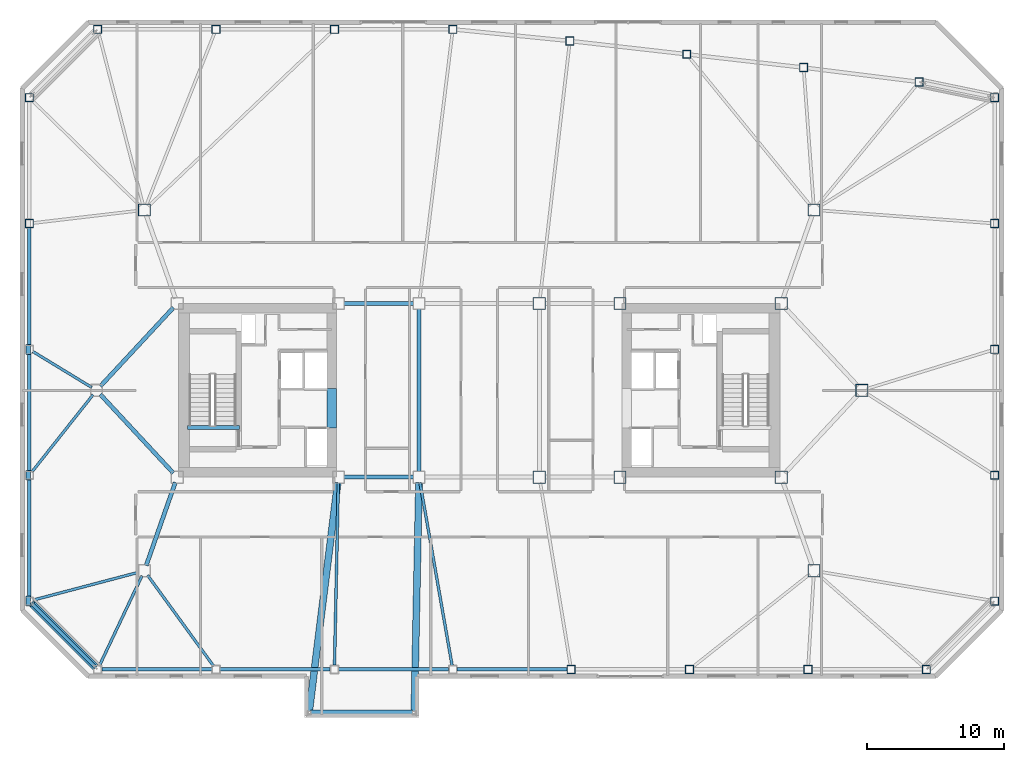
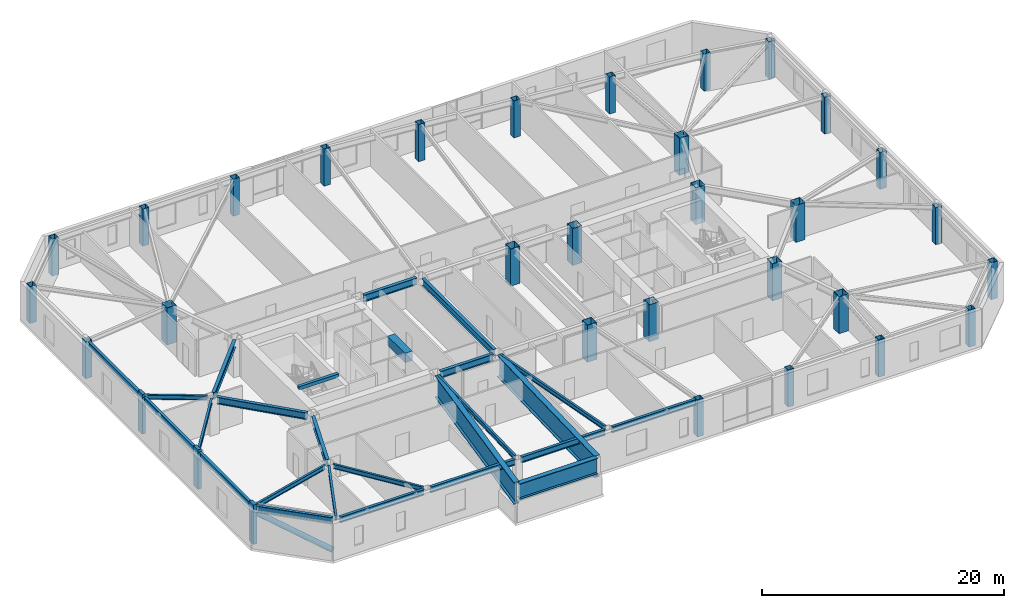
# One storey, part 2 of 17: 29 columns, 26 beams, 4 members.
"""IFC4 building model written with IfcOpenShell, lengths in metres."""

from ifc_helpers import new_model, si_unit, direction, frame, origin, origin_2d, place, context, subcontext, project, spatial, rectangle, hollow_rectangle, hollow_circle, i_section, extrude, material, material_profile, profile_set, type_object, element, save


model = new_model("IFC4")

# Units and contexts
model_context = context("Model", 3, precision=1e-05, world=origin(), true_north=direction((0.0, 1.0)))
body_context = subcontext(model_context, "Body", "Model", "MODEL_VIEW")
ifc_project = project(units=[si_unit("LENGTHUNIT", "METRE"), si_unit("AREAUNIT", "SQUARE_METRE"), si_unit("VOLUMEUNIT", "CUBIC_METRE"), si_unit("PLANEANGLEUNIT", "RADIAN"), si_unit("MASSUNIT", "GRAM", prefix="KILO")], contexts=[model_context])

# Site, building, storey
site_placement = place(None, origin())
site = spatial("IfcSite", under=ifc_project, at=site_placement, CompositionType="ELEMENT")
building_placement = place(site_placement, origin())
building = spatial("IfcBuilding", under=site, at=building_placement, Name="Tavrogorsk Clinical Tower", CompositionType="ELEMENT")
storey_placement = place(building_placement, frame((0.0, 0.0, 160.199951171875)))
storey = spatial("IfcBuildingStorey", under=building, at=storey_placement, Name="L36", CompositionType="ELEMENT", Elevation=160.199951171875)

# Columns
ifc_material_1 = material(Name="Structural steel S440", Category="steel")
ifc_material_profile_1 = material_profile(ifc_material_1, hollow_rectangle(XDim=0.89990234375, YDim=0.89990234375, WallThickness=0.0400390625, at=origin_2d()), Name="BOX-900x900x40")
ifc_profile_set_1 = profile_set([ifc_material_profile_1], Name="Structural steel S440")
column_type_1 = type_object("IfcColumnType", Name="MegaCol_BOX900", PredefinedType="COLUMN", material=ifc_profile_set_1)
for number, where, z_axis, x_axis, name in (
    (1, (10.300048828125, -6.35009765625, 0.0), (0.0, 0.0, 1.0), (1.0, 0.0, 0.0), "L36 Mega Column MC-E1"),
    (2, (10.300048828125, 6.35009765625, 0.0), (0.0, 0.0, 1.0), (1.0, 0.0, 0.0), "L36 Mega Column MC-E2"),
    (3, (22.10009765625, -6.35009765625, 0.0), (0.0, 0.0, 1.0), (1.0, 0.0, 0.0), "L36 Mega Column MC-E3"),
    (4, (22.10009765625, 6.35009765625, 0.0), (0.0, 0.0, 1.0), (1.0, 0.0, 0.0), "L36 Mega Column MC-E4"),
    (5, (4.39990234375, -6.35009765625, 0.0), (0.0, 0.0, 1.0), (1.0, 0.0, 0.0), "L36 Mega Column MC-C2"),
    (6, (4.39990234375, 6.35009765625, 0.0), (0.0, 0.0, 1.0), (1.0, 0.0, 0.0), "L36 Mega Column MC-C4"),
    (7, (24.5, -13.199951171875, 0.0), (0.0, 0.0, 1.0), (1.0, 0.0, 0.0), "L36 Spine Pilotis Column MC-P2"),
    (8, (-24.5, 13.199951171875, 0.0), (0.0, 0.0, 1.0), (1.0, 0.0, 0.0), "L36 Spine Pilotis Column MC-P3"),
    (9, (24.5, 13.199951171875, 0.0), (0.0, 0.0, 1.0), (1.0, 0.0, 0.0), "L36 Spine Pilotis Column MC-P4"),
    (10, (28.0, 0.0, 0.0), (0.0, 0.0, 1.0), (1.0, 0.0, 0.0), "L36 Spine Pilotis Column MC-P6"),
):
    element("IfcColumn", number, at=place(storey_placement, frame(where, z_axis=z_axis, x_axis=x_axis)), inside=storey, type_object=column_type_1, Name=name, PredefinedType="COLUMN", context=body_context, shape_type="SweptSolid", body=[
        extrude(hollow_rectangle(XDim=0.89990234375, YDim=0.89990234375, WallThickness=0.0400390625, at=origin_2d()), origin(), (0.0, 0.0, 1.0), 3.739990234375),
    ])
ifc_material_2 = material(Name="Structural steel S440", Category="steel")
ifc_material_profile_2 = material_profile(ifc_material_2, hollow_rectangle(XDim=0.60009765625, YDim=0.60009765625, WallThickness=0.028076171875, at=origin_2d()), Name="BOX-600x600x28")
ifc_profile_set_2 = profile_set([ifc_material_profile_2], Name="Structural steel S440")
column_type_2 = type_object("IfcColumnType", Name="PerimCol_B3_BOX600", PredefinedType="COLUMN", material=ifc_profile_set_2)
for number, where, z_axis, x_axis, name in (
    (11, (6.7314453125, -20.419921875, 0.0), (0.0, 0.0, 1.0), (1.0, 0.0, 0.0), "L36 Perimeter Column S5"),
    (12, (15.394287109375, -20.419921875, 0.0), (0.0, 0.0, 1.0), (1.0, 0.0, 0.0), "L36 Perimeter Column S6"),
    (13, (24.05712890625, -20.419921875, 0.0), (0.0, 0.0, 1.0), (1.0, 0.0, 0.0), "L36 Perimeter Column S7"),
    (14, (32.719970703125, -20.419921875, 0.0), (0.0, 0.0, 1.0), (1.0, 0.0, 0.0), "L36 Perimeter Column S8"),
    (15, (32.19140625, 22.56591796875, 0.0), (0.0, 0.0, 1.0), (1.0, 0.0, 0.0), "L36 Perimeter Column N1"),
    (16, (23.73779296875, 23.617919921875, 0.0), (0.0, 0.0, 1.0), (1.0, 0.0, 0.0), "L36 Perimeter Column N2"),
    (17, (15.18603515625, 24.59228515625, 0.0), (0.0, 0.0, 1.0), (1.0, 0.0, 0.0), "L36 Perimeter Column N3"),
    (18, (6.63427734375, 25.566650390625, 0.0), (0.0, 0.0, 1.0), (1.0, 0.0, 0.0), "L36 Perimeter Column N4"),
    (19, (-1.931396484375, 26.419921875, 0.0), (0.0, 0.0, 1.0), (1.0, 0.0, 0.0), "L36 Perimeter Column N5"),
    (20, (-10.59423828125, 26.419921875, 0.0), (0.0, 0.0, 1.0), (1.0, 0.0, 0.0), "L36 Perimeter Column N6"),
    (21, (-19.257080078125, 26.419921875, 0.0), (0.0, 0.0, 1.0), (1.0, 0.0, 0.0), "L36 Perimeter Column N7"),
    (22, (-27.919921875, 26.419921875, 0.0), (0.0, 0.0, 1.0), (1.0, 0.0, 0.0), "L36 Perimeter Column N8"),
    (23, (37.719970703125, -15.419921875, 0.0), (0.0, 0.0, 1.0), (1.0, 0.0, 0.0), "L36 Perimeter Column E1"),
    (24, (37.719970703125, -6.2099609375, 0.0), (0.0, 0.0, 1.0), (1.0, 0.0, 0.0), "L36 Perimeter Column E2"),
    (25, (37.719970703125, 3.0, 0.0), (0.0, 0.0, 1.0), (1.0, 0.0, 0.0), "L36 Perimeter Column E3"),
    (26, (37.719970703125, 12.2099609375, 0.0), (0.0, 0.0, 1.0), (1.0, 0.0, 0.0), "L36 Perimeter Column E4"),
    (27, (37.719970703125, 21.419921875, 0.0), (0.0, 0.0, 1.0), (1.0, 0.0, 0.0), "L36 Perimeter Column E5"),
    (28, (-32.919921875, 21.419921875, 0.0), (0.0, 0.0, 1.0), (1.0, 0.0, 0.0), "L36 Perimeter Column W1"),
    (29, (-32.919921875, 12.2099609375, 0.0), (0.0, 0.0, 1.0), (1.0, 0.0, 0.0), "L36 Perimeter Column W2"),
):
    element("IfcColumn", number, at=place(storey_placement, frame(where, z_axis=z_axis, x_axis=x_axis)), inside=storey, type_object=column_type_2, Name=name, PredefinedType="COLUMN", context=body_context, shape_type="SweptSolid", body=[
        extrude(hollow_rectangle(XDim=0.60009765625, YDim=0.60009765625, WallThickness=0.028076171875, at=origin_2d()), origin(), (0.0, 0.0, 1.0), 3.739990234375),
    ])

# Beam
ifc_material_3 = material(Name="Concrete B80", Category="concrete")
ifc_material_profile_3 = material_profile(ifc_material_3, rectangle(XDim=0.699951171875, YDim=0.949951171875, at=origin_2d()), Name="RC-CB-700x950")
ifc_profile_set_3 = profile_set([ifc_material_profile_3], Name="Concrete B80")
beam_type_1 = type_object("IfcBeamType", Name="CouplingBeam_RC700x950", PredefinedType="LINTEL", material=ifc_profile_set_3)
beam_1_placement = place(storey_placement, frame((-10.800048828125, -2.75, 3.26513671875), z_axis=(0.0, 1.0, 0.0), x_axis=(-1.0, 0.0, 0.0)))
element("IfcBeam", 30, at=beam_1_placement, inside=storey, type_object=beam_type_1, Name="L36 Core West Coupling Beam", PredefinedType="LINTEL", context=body_context, shape_type="SweptSolid", body=[
    extrude(rectangle(XDim=0.699951171875, YDim=0.949951171875, at=origin_2d()), origin(), (0.0, 0.0, 1.0), 2.89990234375),
])

# Member
ifc_material_4 = material(Name="Structural steel S440", Category="steel")
ifc_material_profile_4 = material_profile(ifc_material_4, hollow_circle(Radius=0.25390625, WallThickness=0.02001953125, at=origin_2d()), Name="CHS-508x20")
ifc_profile_set_4 = profile_set([ifc_material_profile_4], Name="Structural steel S440")
member_type_1 = type_object("IfcMemberType", Name="ExoBrace_CHS508", PredefinedType="BRACE", material=ifc_profile_set_4)
member_placement = place(storey_placement, frame((-28.12255859375, -20.217529296875, 0.4130859375), z_axis=(-0.657758524103, 0.657758524103, 0.367025132572), x_axis=(-0.707106781187, -0.707106781187, 0.0)))
element("IfcMember", 31, at=member_placement, inside=storey, type_object=member_type_1, Name="L36 Corner Exoskeleton Brace W5-S1", PredefinedType="BRACE", context=body_context, shape_type="SweptSolid", body=[
    extrude(hollow_circle(Radius=0.25390625, WallThickness=0.02001953125, at=origin_2d()), origin(), (0.0, 0.0, 1.0), 6.98583984375),
])

# Beams
ifc_material_5 = material(Name="Structural steel S355", Category="steel")
ifc_material_profile_5 = material_profile(ifc_material_5, i_section(OverallWidth=0.199951171875, OverallDepth=0.449951171875, WebThickness=0.011474609375, FlangeThickness=0.01806640625, at=origin_2d()), Name="B-450x200x11.5x18")
ifc_profile_set_5 = profile_set([ifc_material_profile_5], Name="Structural steel S355")
beam_type_2 = type_object("IfcBeamType", Name="FloorBeam_B450", PredefinedType="BEAM", material=ifc_profile_set_5)
beam_2_placement = place(storey_placement, frame((-24.675537109375, -13.570556640625, 3.51513671875), z_axis=(-0.42808057121, -0.903740573701, 0.0), x_axis=(0.903740573701, -0.42808057121, 0.0)))
element("IfcBeam", 32, at=beam_2_placement, inside=storey, type_object=beam_type_2, Name="L36 Radial Floor Beam S1", PredefinedType="BEAM", context=body_context, shape_type="SweptSolid", body=[
    extrude(i_section(OverallWidth=0.199951171875, OverallDepth=0.449951171875, WebThickness=0.011474609375, FlangeThickness=0.01806640625, at=origin_2d()), origin(), (0.0, 0.0, 1.0), 7.27099609375),
])
beam_3_placement = place(storey_placement, frame((-24.259033203125, -13.53173828125, 3.51513671875), z_axis=(0.587578845372, -0.809166917559, 0.0), x_axis=(0.809166917559, 0.587578845372, 0.0)))
element("IfcBeam", 33, at=beam_3_placement, inside=storey, type_object=beam_type_2, Name="L36 Radial Floor Beam S2", PredefinedType="BEAM", context=body_context, shape_type="SweptSolid", body=[
    extrude(i_section(OverallWidth=0.199951171875, OverallDepth=0.449951171875, WebThickness=0.011474609375, FlangeThickness=0.01806640625, at=origin_2d()), origin(), (0.0, 0.0, 1.0), 8.204833984375),
])
beam_4_placement = place(storey_placement, frame((-10.30859375, -6.760009765625, 3.51513671875), z_axis=(-0.020913325994, -0.999781292481, 0.0), x_axis=(0.999781292481, -0.020913325994, 0.0)))
element("IfcBeam", 34, at=beam_4_placement, inside=storey, type_object=beam_type_2, Name="L36 Radial Floor Beam S3", PredefinedType="BEAM", context=body_context, shape_type="SweptSolid", body=[
    extrude(i_section(OverallWidth=0.199951171875, OverallDepth=0.449951171875, WebThickness=0.011474609375, FlangeThickness=0.01806640625, at=origin_2d()), origin(), (0.0, 0.0, 1.0), 13.35498046875),
])
beam_5_placement = place(storey_placement, frame((-4.3291015625, -6.75390625, 3.51513671875), z_axis=(0.172808972689, -0.984955358866, 0.0), x_axis=(0.984955358866, 0.172808972689, 0.0)))
element("IfcBeam", 35, at=beam_5_placement, inside=storey, type_object=beam_type_2, Name="L36 Radial Floor Beam S4", PredefinedType="BEAM", context=body_context, shape_type="SweptSolid", body=[
    extrude(i_section(OverallWidth=0.199951171875, OverallDepth=0.449951171875, WebThickness=0.011474609375, FlangeThickness=0.01806640625, at=origin_2d()), origin(), (0.0, 0.0, 1.0), 13.56689453125),
])
beam_6_placement = place(storey_placement, frame((-28.35009765625, 0.21337890625, 3.51513671875), z_axis=(-0.853789879369, 0.520617750262, 0.0), x_axis=(-0.520617750262, -0.853789879369, 0.0)))
element("IfcBeam", 36, at=beam_6_placement, inside=storey, type_object=beam_type_2, Name="L36 Radial Floor Beam W3", PredefinedType="BEAM", context=body_context, shape_type="SweptSolid", body=[
    extrude(i_section(OverallWidth=0.199951171875, OverallDepth=0.449951171875, WebThickness=0.011474609375, FlangeThickness=0.01806640625, at=origin_2d()), origin(), (0.0, 0.0, 1.0), 5.04443359375),
])
beam_7_placement = place(storey_placement, frame((-28.254638671875, -0.3212890625, 3.51513671875), z_axis=(-0.620993662543, -0.783815584868, 0.0), x_axis=(0.783815584868, -0.620993662543, 0.0)))
element("IfcBeam", 37, at=beam_7_placement, inside=storey, type_object=beam_type_2, Name="L36 Radial Floor Beam W4", PredefinedType="BEAM", context=body_context, shape_type="SweptSolid", body=[
    extrude(i_section(OverallWidth=0.199951171875, OverallDepth=0.449951171875, WebThickness=0.011474609375, FlangeThickness=0.01806640625, at=origin_2d()), origin(), (0.0, 0.0, 1.0), 7.204833984375),
])
beam_8_placement = place(storey_placement, frame((-24.896484375, -13.304443359375, 3.51513671875), z_axis=(-0.966949342117, -0.254968566257, 0.0), x_axis=(0.254968566257, -0.966949342117, 0.0)))
element("IfcBeam", 38, at=beam_8_placement, inside=storey, type_object=beam_type_2, Name="L36 Radial Floor Beam W5", PredefinedType="BEAM", context=body_context, shape_type="SweptSolid", body=[
    extrude(i_section(OverallWidth=0.199951171875, OverallDepth=0.449951171875, WebThickness=0.011474609375, FlangeThickness=0.01806640625, at=origin_2d()), origin(), (0.0, 0.0, 1.0), 7.98974609375),
])

# Members
ifc_material_6 = material(Name="Precast concrete B45 with limestone cladding", Category="masonry")
ifc_material_profile_6 = material_profile(ifc_material_6, rectangle(XDim=0.320068359375, YDim=0.719970703125, at=origin_2d()), Name="LIMESTONE-FIN-320x720")
ifc_profile_set_6 = profile_set([ifc_material_profile_6], Name="Precast concrete B45 with limestone cladding")
member_type_2 = type_object("IfcMemberType", Name="LimestonePleatFin_320x720", PredefinedType="USERDEFINED", material=ifc_profile_set_6)
for number, where, z_axis, x_axis, name in (
    (39, (-33.0, 3.0, 0.0), (0.0, 0.0, 1.0), (1.0, 0.0, 0.0), "L36 W Pleated Stone Fin 2"),
    (40, (-33.0, -6.2099609375, 0.0), (0.0, 0.0, 1.0), (1.0, 0.0, 0.0), "L36 W Pleated Stone Fin 3"),
    (41, (-33.0, -15.419921875, 0.0), (0.0, 0.0, 1.0), (1.0, 0.0, 0.0), "L36 W Pleated Stone Fin 4"),
):
    element("IfcMember", number, at=place(storey_placement, frame(where, z_axis=z_axis, x_axis=x_axis)), inside=storey, type_object=member_type_2, Name=name, ObjectType="FIN", PredefinedType="USERDEFINED", context=body_context, shape_type="SweptSolid", body=[
        extrude(rectangle(XDim=0.320068359375, YDim=0.719970703125, at=origin_2d()), origin(), (0.0, 0.0, 1.0), 4.0),
    ])

# Beams
ifc_material_7 = material(Name="Structural steel S390", Category="steel")
ifc_material_profile_7 = material_profile(ifc_material_7, i_section(OverallWidth=0.300048828125, OverallDepth=0.699951171875, WebThickness=0.01708984375, FlangeThickness=0.028076171875, at=origin_2d()), Name="B-700x300x17x28")
ifc_profile_set_7 = profile_set([ifc_material_profile_7], Name="Structural steel S390")
beam_type_3 = type_object("IfcBeamType", Name="PrimaryGirder_B700", PredefinedType="USERDEFINED", material=ifc_profile_set_7)
for number, where, z_axis, x_axis, name in (
    (42, (-9.889892578125, -6.35009765625, 3.39013671875), (1.0, 0.0, 0.0), (0.0, 1.0, 0.0), "L36 Primary Spine Girder MG-01"),
    (43, (-9.889892578125, 6.35009765625, 3.39013671875), (1.0, 0.0, 0.0), (0.0, 1.0, 0.0), "L36 Primary Spine Girder MG-02"),
):
    element("IfcBeam", number, at=place(storey_placement, frame(where, z_axis=z_axis, x_axis=x_axis)), inside=storey, type_object=beam_type_3, Name=name, ObjectType="GIRDER", PredefinedType="USERDEFINED", context=body_context, shape_type="SweptSolid", body=[
        extrude(i_section(OverallWidth=0.300048828125, OverallDepth=0.699951171875, WebThickness=0.01708984375, FlangeThickness=0.028076171875, at=origin_2d()), origin(), (0.0, 0.0, 1.0), 5.079833984375),
    ])
beam_9_placement = place(storey_placement, frame((-4.39990234375, -5.93994140625, 3.39013671875), z_axis=(0.0, 1.0, 0.0), x_axis=(-1.0, 0.0, 0.0)))
element("IfcBeam", 44, at=beam_9_placement, inside=storey, type_object=beam_type_3, Name="L36 Primary Spine Girder MG-07", ObjectType="GIRDER", PredefinedType="USERDEFINED", context=body_context, shape_type="SweptSolid", body=[
    extrude(i_section(OverallWidth=0.300048828125, OverallDepth=0.699951171875, WebThickness=0.01708984375, FlangeThickness=0.028076171875, at=origin_2d()), origin(), (0.0, 0.0, 1.0), 11.8798828125),
])
beam_10_placement = place(storey_placement, frame((-24.364501953125, -12.81298828125, 3.39013671875), z_axis=(0.330673031392, 0.94374538214, 0.0), x_axis=(-0.94374538214, 0.330673031392, 0.0)))
element("IfcBeam", 45, at=beam_10_placement, inside=storey, type_object=beam_type_3, Name="L36 Spine Link Girder OPG-1", ObjectType="GIRDER", PredefinedType="USERDEFINED", context=body_context, shape_type="SweptSolid", body=[
    extrude(i_section(OverallWidth=0.300048828125, OverallDepth=0.699951171875, WebThickness=0.01708984375, FlangeThickness=0.028076171875, at=origin_2d()), origin(), (0.0, 0.0, 1.0), 6.43798828125),
])
for number, where, z_axis, x_axis, name in (
    (46, (-27.720947265625, -0.30029296875, 3.39013671875), (0.680669430215, -0.732590695253, 0.0), (0.732590695253, 0.680669430215, 0.0), "L36 Spine Link Girder OPG-5"),
    (47, (-27.720947265625, 0.30029296875, 3.39013671875), (0.680669430215, 0.732590695253, 0.0), (-0.732590695253, 0.680669430215, 0.0), "L36 Spine Link Girder OPG-6"),
):
    element("IfcBeam", number, at=place(storey_placement, frame(where, z_axis=z_axis, x_axis=x_axis)), inside=storey, type_object=beam_type_3, Name=name, ObjectType="GIRDER", PredefinedType="USERDEFINED", context=body_context, shape_type="SweptSolid", body=[
        extrude(i_section(OverallWidth=0.300048828125, OverallDepth=0.699951171875, WebThickness=0.01708984375, FlangeThickness=0.028076171875, at=origin_2d()), origin(), (0.0, 0.0, 1.0), 7.847900390625),
    ])
ifc_material_8 = material(Name="Structural steel S390", Category="steel")
ifc_material_profile_8 = material_profile(ifc_material_8, i_section(OverallWidth=0.260009765625, OverallDepth=0.60009765625, WebThickness=0.014892578125, FlangeThickness=0.02392578125, at=origin_2d()), Name="B-600x260x15x24")
ifc_profile_set_8 = profile_set([ifc_material_profile_8], Name="Structural steel S390")
beam_type_4 = type_object("IfcBeamType", Name="SpandrelBeam_B600", PredefinedType="SPANDREL", material=ifc_profile_set_8)
for number, where, z_axis, x_axis, name in (
    (48, (-27.612060546875, -20.419921875, 3.43994140625), (1.0, 0.0, 0.0), (0.0, 1.0, 0.0), "L36 Perimeter Spandrel S1-S2"),
    (49, (-18.94921875, -20.419921875, 3.43994140625), (1.0, 0.0, 0.0), (0.0, 1.0, 0.0), "L36 Perimeter Spandrel S2-S3"),
    (50, (-10.286376953125, -20.419921875, 3.43994140625), (1.0, 0.0, 0.0), (0.0, 1.0, 0.0), "L36 Perimeter Spandrel S3-S4"),
):
    element("IfcBeam", number, at=place(storey_placement, frame(where, z_axis=z_axis, x_axis=x_axis)), inside=storey, type_object=beam_type_4, Name=name, PredefinedType="SPANDREL", context=body_context, shape_type="SweptSolid", body=[
        extrude(i_section(OverallWidth=0.260009765625, OverallDepth=0.60009765625, WebThickness=0.014892578125, FlangeThickness=0.02392578125, at=origin_2d()), origin(), (0.0, 0.0, 1.0), 8.046875),
    ])
beam_11_placement = place(storey_placement, frame((-1.623291015625, -20.419921875, 3.43994140625), z_axis=(1.0, 0.0, 0.0), x_axis=(0.0, 1.0, 0.0)))
element("IfcBeam", 51, at=beam_11_placement, inside=storey, type_object=beam_type_4, Name="L36 Perimeter Spandrel S4-S5", PredefinedType="SPANDREL", context=body_context, shape_type="SweptSolid", body=[
    extrude(i_section(OverallWidth=0.260009765625, OverallDepth=0.60009765625, WebThickness=0.014892578125, FlangeThickness=0.02392578125, at=origin_2d()), origin(), (0.0, 0.0, 1.0), 8.046630859375),
])
for number, where, z_axis, x_axis, name in (
    (52, (-32.919921875, 11.902099609375, 3.43994140625), (0.0, -1.0, 0.0), (1.0, 0.0, 0.0), "L36 Perimeter Spandrel W2-W3"),
    (53, (-32.919921875, 2.69189453125, 3.43994140625), (0.0, -1.0, 0.0), (1.0, 0.0, 0.0), "L36 Perimeter Spandrel W3-W4"),
    (54, (-32.919921875, -6.51806640625, 3.43994140625), (0.0, -1.0, 0.0), (1.0, 0.0, 0.0), "L36 Perimeter Spandrel W4-W5"),
):
    element("IfcBeam", number, at=place(storey_placement, frame(where, z_axis=z_axis, x_axis=x_axis)), inside=storey, type_object=beam_type_4, Name=name, PredefinedType="SPANDREL", context=body_context, shape_type="SweptSolid", body=[
        extrude(i_section(OverallWidth=0.260009765625, OverallDepth=0.60009765625, WebThickness=0.014892578125, FlangeThickness=0.02392578125, at=origin_2d()), origin(), (0.0, 0.0, 1.0), 8.593994140625),
    ])
beam_12_placement = place(storey_placement, frame((-32.7021484375, -15.6376953125, 3.43994140625), z_axis=(0.707106781187, -0.707106781187, 0.0), x_axis=(0.707106781187, 0.707106781187, 0.0)))
element("IfcBeam", 55, at=beam_12_placement, inside=storey, type_object=beam_type_4, Name="L36 Perimeter Spandrel W5-S1", PredefinedType="SPANDREL", context=body_context, shape_type="SweptSolid", body=[
    extrude(i_section(OverallWidth=0.260009765625, OverallDepth=0.60009765625, WebThickness=0.014892578125, FlangeThickness=0.02392578125, at=origin_2d()), origin(), (0.0, 0.0, 1.0), 6.455078125),
])
ifc_material_9 = material(Name="Concrete B60", Category="concrete")
ifc_material_profile_9 = material_profile(ifc_material_9, rectangle(XDim=0.300048828125, YDim=0.35009765625, at=origin_2d()), Name="RC-SHB-300x350")
ifc_profile_set_9 = profile_set([ifc_material_profile_9], Name="Concrete B60")
beam_type_5 = type_object("IfcBeamType", Name="StairHeaderBeam_RC300x350", PredefinedType="BEAM", material=ifc_profile_set_9)
beam_13_placement = place(storey_placement, frame((-21.35009765625, -2.719970703125, 3.824951171875), z_axis=(1.0, 0.0, 0.0), x_axis=(0.0, 1.0, 0.0)))
element("IfcBeam", 56, at=beam_13_placement, inside=storey, type_object=beam_type_5, Name="L37 ST-W Landing Header Beam", PredefinedType="BEAM", context=body_context, shape_type="SweptSolid", body=[
    extrude(rectangle(XDim=0.300048828125, YDim=0.35009765625, at=origin_2d()), origin(), (0.0, 0.0, 1.0), 3.800048828125),
])
ifc_material_10 = material(Name="Structural steel S440", Category="steel")
ifc_material_profile_10 = material_profile(ifc_material_10, i_section(OverallWidth=0.449951171875, OverallDepth=1.60009765625, WebThickness=0.031982421875, FlangeThickness=0.050048828125, at=origin_2d()), Name="DK-1600x450x32x50")
ifc_profile_set_10 = profile_set([ifc_material_profile_10], Name="Structural steel S440")
beam_type_6 = type_object("IfcBeamType", Name="TransferGirder_DK1600", PredefinedType="USERDEFINED", material=ifc_profile_set_10)
beam_14_placement = place(storey_placement, frame((-12.330078125, -23.60009765625, 2.93994140625), z_axis=(1.0, 0.0, 0.0), x_axis=(0.0, 1.0, 0.0)))
element("IfcBeam", 57, at=beam_14_placement, inside=storey, type_object=beam_type_6, Name="L36 Day-Room Front Edge Beam DRB-05", ObjectType="GIRDER", PredefinedType="USERDEFINED", context=body_context, shape_type="SweptSolid", body=[
    extrude(i_section(OverallWidth=0.449951171875, OverallDepth=1.60009765625, WebThickness=0.031982421875, FlangeThickness=0.050048828125, at=origin_2d()), origin(), (0.0, 0.0, 1.0), 7.4599609375),
])
ifc_material_11 = material(Name="Structural steel S440", Category="steel")
ifc_material_profile_11 = material_profile(ifc_material_11, i_section(OverallWidth=0.5, OverallDepth=2.199951171875, WebThickness=0.035888671875, FlangeThickness=0.054931640625, at=origin_2d()), Name="DK-2200x500x36x55")
ifc_profile_set_11 = profile_set([ifc_material_profile_11], Name="Structural steel S440")
beam_type_7 = type_object("IfcBeamType", Name="TransferGirder_DK2200", PredefinedType="USERDEFINED", material=ifc_profile_set_11)
beam_15_placement = place(storey_placement, frame((-10.350830078125, -6.7568359375, 2.64013671875), z_axis=(-0.123668799225, -0.992323550108, 0.0), x_axis=(0.992323550108, -0.123668799225, 0.0)))
element("IfcBeam", 58, at=beam_15_placement, inside=storey, type_object=beam_type_7, Name="L36 Day-Room Cantilever Beam DRB-05-L", ObjectType="GIRDER", PredefinedType="USERDEFINED", context=body_context, shape_type="SweptSolid", body=[
    extrude(i_section(OverallWidth=0.5, OverallDepth=2.199951171875, WebThickness=0.035888671875, FlangeThickness=0.054931640625, at=origin_2d()), origin(), (0.0, 0.0, 1.0), 16.83349609375),
])
beam_16_placement = place(storey_placement, frame((-4.408203125, -6.760009765625, 2.64013671875), z_axis=(-0.020287331506, -0.999794190911, 0.0), x_axis=(0.999794190911, -0.020287331506, 0.0)))
element("IfcBeam", 59, at=beam_16_placement, inside=storey, type_object=beam_type_7, Name="L36 Day-Room Cantilever Beam DRB-05-R", ObjectType="GIRDER", PredefinedType="USERDEFINED", context=body_context, shape_type="SweptSolid", body=[
    extrude(i_section(OverallWidth=0.5, OverallDepth=2.199951171875, WebThickness=0.035888671875, FlangeThickness=0.054931640625, at=origin_2d()), origin(), (0.0, 0.0, 1.0), 16.703369140625),
])

save(model, "model.ifc")
